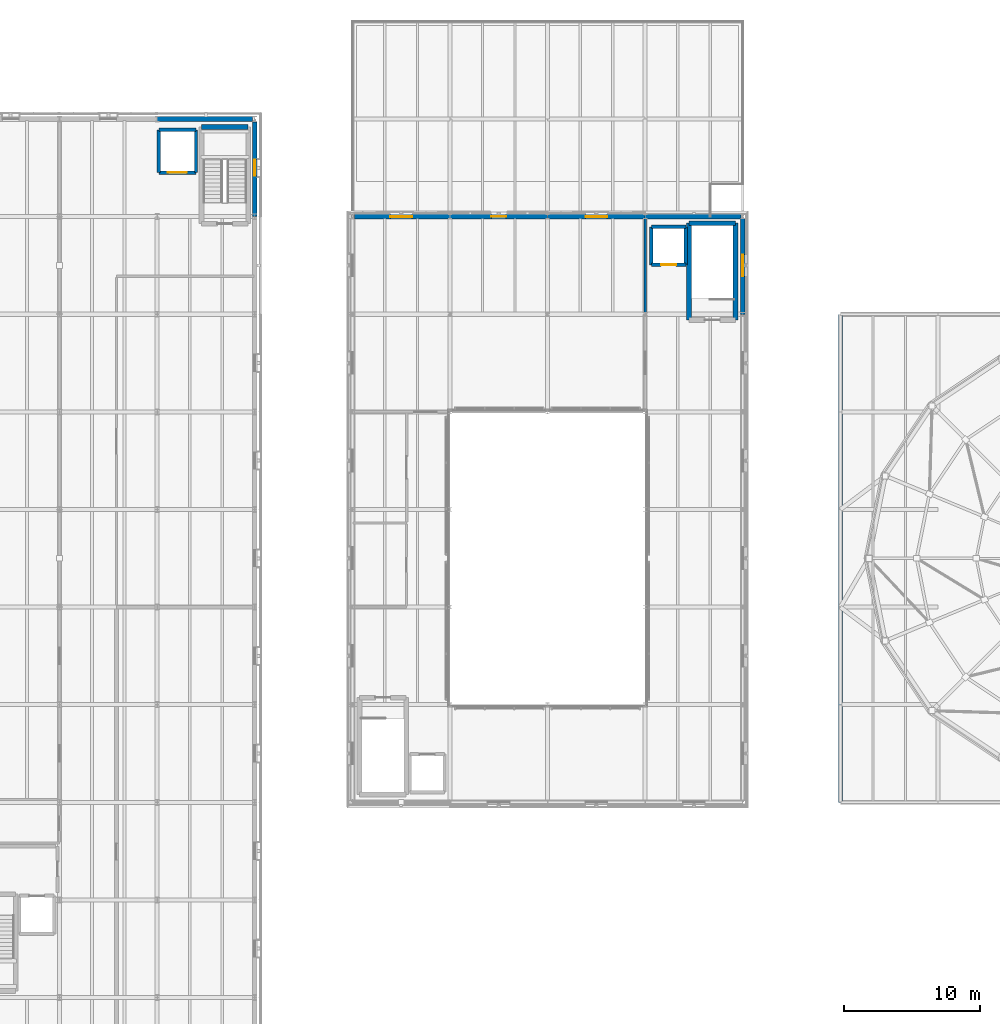
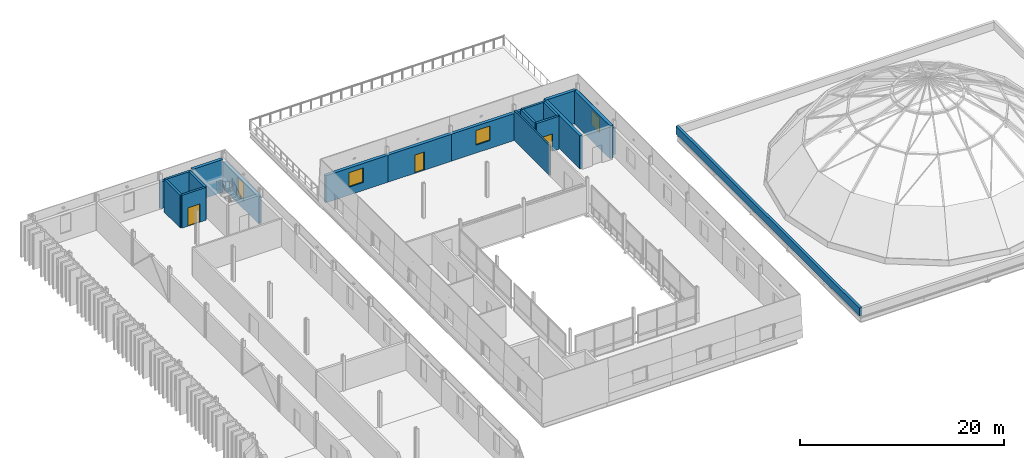
# One storey, part 48 of 66: 21 walls, 4 windows, 3 doors, 7 openings.
"""IFC4 building model written with IfcOpenShell, lengths in metres."""

from ifc_helpers import new_model, si_unit, direction, frame, frame_2d, origin, place, context, subcontext, project, spatial, rectangle, extrude, material, layer, layer_set, type_object, element, fill, save


model = new_model("IFC4")

# Units and contexts
model_context = context("Model", 3, precision=1e-05, world=origin(), true_north=direction((0.0, 1.0)))
body_context = subcontext(model_context, "Body", "Model", "MODEL_VIEW")
ifc_project = project(units=[si_unit("LENGTHUNIT", "METRE"), si_unit("AREAUNIT", "SQUARE_METRE"), si_unit("VOLUMEUNIT", "CUBIC_METRE"), si_unit("PLANEANGLEUNIT", "RADIAN"), si_unit("MASSUNIT", "GRAM", prefix="KILO")], contexts=[model_context])

# Site, building, storey
site_placement = place(None, origin())
site = spatial("IfcSite", under=ifc_project, at=site_placement, CompositionType="ELEMENT")
building_placement = place(site_placement, origin())
building = spatial("IfcBuilding", under=site, at=building_placement, Name="Narikvali Park Central Library", CompositionType="ELEMENT")
storey_placement = place(building_placement, frame((0.0, 0.0, 18.60009765625)))
storey = spatial("IfcBuildingStorey", under=building, at=storey_placement, Name="L04", CompositionType="ELEMENT", Elevation=18.60009765625)

# Walls
ifc_material_1 = material(Name="White Honed Limestone over Concrete C35/45", Category="masonry")
ifc_layer_1 = layer(ifc_material_1, 0.300048828125, Name="White Honed Limestone over Concrete C35/45")
ifc_layer_set_1 = layer_set([ifc_layer_1], Name="White Honed Limestone over Concrete C35/45")
wall_type_1 = type_object("IfcWallType", Name="Limestone Coping Parapet Wall 300", PredefinedType="PARAPET", material=ifc_layer_set_1)
wall_1_placement = place(storey_placement, frame((64.800048828125, 93.60009765625, 0.0), z_axis=(0.0, 0.0, 1.0), x_axis=(0.0, -1.0, 0.0)))
element("IfcWall", 1, at=wall_1_placement, inside=storey, type_object=wall_type_1, Name="V1 L04 Roof Limestone Parapet W", PredefinedType="PARAPET", context=body_context, shape_type="SweptSolid", body=[
    extrude(rectangle(XDim=36.0, YDim=0.300048828125, at=frame_2d((18.0, 0.0))), origin(), (0.0, 0.0, 1.0), 0.949951171875),
])
ifc_material_2 = material(Name="Acoustic Gypsum on Steel Studs", Category="steel")
ifc_layer_2 = layer(ifc_material_2, 0.179931640625, Name="Acoustic Gypsum on Steel Studs")
ifc_layer_set_2 = layer_set([ifc_layer_2], Name="Acoustic Gypsum on Steel Studs")
wall_type_2 = type_object("IfcWallType", Name="Reading Room Acoustic Partition 180", PredefinedType="PARTITIONING", material=ifc_layer_set_2)
wall_2_placement = place(storey_placement, frame((50.39990234375, 93.743896484375, 0.0), z_axis=(0.0, 0.0, 1.0), x_axis=(0.0, 1.0, 0.0)))
element("IfcWall", 2, at=wall_2_placement, inside=storey, type_object=wall_type_2, Name="Sciences and Arts Reading Room L04 Partition E", PredefinedType="PARTITIONING", context=body_context, shape_type="SweptSolid", body=[
    extrude(rectangle(XDim=6.912109375, YDim=0.179931640625, at=frame_2d((3.4560546875, 0.0))), origin(), (0.0, 0.0, 1.0), 3.594970703125),
])
ifc_material_3 = material(Name="Concrete C40/50", Category="concrete")
ifc_layer_3 = layer(ifc_material_3, 0.35009765625, Name="Concrete C40/50")
ifc_layer_set_3 = layer_set([ifc_layer_3], Name="Concrete C40/50")
wall_type_3 = type_object("IfcWallType", Name="Reinforced Concrete Core Shear Wall 350", PredefinedType="SHEAR", material=ifc_layer_set_3)
wall_3_placement = place(storey_placement, frame((57.070068359375, 93.179931640625, 0.0), z_axis=(0.0, 0.0, 1.0), x_axis=(0.0, 1.0, 0.0)))
element("IfcWall", 3, at=wall_3_placement, inside=storey, type_object=wall_type_3, Name="C4B L04 Stair Core Shear Wall E", PredefinedType="SHEAR", context=body_context, shape_type="SweptSolid", body=[
    extrude(rectangle(XDim=7.14013671875, YDim=0.35009765625, at=frame_2d((3.570068359375, 0.0))), origin(), (0.0, 0.0, 1.0), 3.9599609375),
])
wall_4_placement = place(storey_placement, frame((57.070068359375, 100.320068359375, 0.0), z_axis=(0.0, 0.0, 1.0), x_axis=(-1.0, 0.0, 0.0)))
element("IfcWall", 4, at=wall_4_placement, inside=storey, type_object=wall_type_3, Name="C4B L04 Stair Core Shear Wall N", PredefinedType="SHEAR", context=body_context, shape_type="SweptSolid", body=[
    extrude(rectangle(XDim=3.440185546875, YDim=0.35009765625, at=frame_2d((1.72021484375, 0.0))), origin(), (0.0, 0.0, 1.0), 3.9599609375),
])
wall_5_placement = place(storey_placement, frame((53.6298828125, 100.320068359375, 0.0), z_axis=(0.0, 0.0, 1.0), x_axis=(0.0, -1.0, 0.0)))
element("IfcWall", 5, at=wall_5_placement, inside=storey, type_object=wall_type_3, Name="C4B L04 Stair Core Shear Wall W", PredefinedType="SHEAR", context=body_context, shape_type="SweptSolid", body=[
    extrude(rectangle(XDim=7.14013671875, YDim=0.35009765625, at=frame_2d((3.570068359375, 0.0))), origin(), (0.0, 0.0, 1.0), 3.9599609375),
])
wall_6_placement = place(storey_placement, frame((21.1201171875, 107.419921875, 0.0), z_axis=(0.0, 0.0, 1.0), x_axis=(-1.0, 0.0, 0.0)))
element("IfcWall", 6, at=wall_6_placement, inside=storey, type_object=wall_type_3, Name="C5B L04 Stair Core Shear Wall N", PredefinedType="SHEAR", context=body_context, shape_type="SweptSolid", body=[
    extrude(rectangle(XDim=3.440185546875, YDim=0.35009765625, at=frame_2d((1.72021484375, 0.0))), origin(), (0.0, 0.0, 1.0), 3.93994140625),
])

# Wall, opening, door
ifc_layer_4 = layer(ifc_material_3, 0.25, Name="Concrete C40/50")
ifc_layer_set_4 = layer_set([ifc_layer_4], Name="Concrete C40/50")
wall_type_4 = type_object("IfcWallType", Name="Reinforced Concrete Lift Shaft Wall 250", PredefinedType="SHEAR", material=ifc_layer_set_4)
wall_7_placement = place(storey_placement, frame((50.85009765625, 97.25, 0.0), z_axis=(0.0, 0.0, 1.0), x_axis=(1.0, 0.0, 0.0)))
wall_7 = element("IfcWall", 7, at=wall_7_placement, inside=storey, type_object=wall_type_4, Name="L-06 L04 Lift Shaft Wall S", PredefinedType="SHEAR", context=body_context, shape_type="SweptSolid", body=[
    extrude(rectangle(XDim=2.5498046875, YDim=0.25, at=frame_2d((1.27490234375, 0.0))), origin(), (0.0, 0.0, 1.0), 3.9599609375),
])
opening_1_placement = place(wall_7_placement, frame((0.72509765625, 0.0, 0.0)))
opening_1 = element("IfcOpeningElement", 8, at=opening_1_placement, cuts=wall_7, Name="Opening LD-033", PredefinedType="OPENING", context=body_context, shape_type="SweptSolid", body=[
    extrude(rectangle(XDim=1.10009765625, YDim=2.10009765625, at=frame_2d((0.550048828125, 1.050048828125))), frame((0.0, 0.136962890625, 0.0), z_axis=(0.0, -1.0, 0.0), x_axis=(1.0, 0.0, 0.0)), (0.0, 0.0, 1.0), 0.27392578125),
])
ifc_material_4 = material(Name="Brushed Stainless Steel S355", Category="steel")
door_type_1 = type_object("IfcDoorType", Name="Passenger Lift Sliding Landing Door 1100x2100", OperationType="SLIDING_TO_LEFT", PredefinedType="DOOR", material=ifc_material_4)
door_1_placement = place(opening_1_placement, origin())
door_1 = element("IfcDoor", 9, at=door_1_placement, inside=storey, type_object=door_type_1, Name="L-06 L04 Lift Landing Sliding Door LD-033", OperationType="SLIDING_TO_LEFT", OverallHeight=2.10009765625, OverallWidth=1.10009765625, PredefinedType="DOOR", context=body_context, shape_type="SweptSolid", body=[
    extrude(rectangle(XDim=1.10009765625, YDim=2.10009765625, at=frame_2d((0.550048828125, 1.050048828125))), frame((0.0, 0.02490234375, 0.0), z_axis=(0.0, -1.0, 0.0), x_axis=(1.0, 0.0, 0.0)), (0.0, 0.0, 1.0), 0.050048828125),
])
fill(opening_1, door_1)

# Walls
wall_8_placement = place(storey_placement, frame((53.39990234375, 97.25, 0.0), z_axis=(0.0, 0.0, 1.0), x_axis=(0.0, 1.0, 0.0)))
element("IfcWall", 10, at=wall_8_placement, inside=storey, type_object=wall_type_4, Name="L-06 L04 Lift Shaft Wall E", PredefinedType="SHEAR", context=body_context, shape_type="SweptSolid", body=[
    extrude(rectangle(XDim=2.800048828125, YDim=0.25, at=frame_2d((1.39990234375, 0.0))), origin(), (0.0, 0.0, 1.0), 3.9599609375),
])
wall_9_placement = place(storey_placement, frame((53.39990234375, 100.050048828125, 0.0), z_axis=(0.0, 0.0, 1.0), x_axis=(-1.0, 0.0, 0.0)))
element("IfcWall", 11, at=wall_9_placement, inside=storey, type_object=wall_type_4, Name="L-06 L04 Lift Shaft Wall N", PredefinedType="SHEAR", context=body_context, shape_type="SweptSolid", body=[
    extrude(rectangle(XDim=2.5498046875, YDim=0.25, at=frame_2d((1.27490234375, 0.0))), origin(), (0.0, 0.0, 1.0), 3.9599609375),
])
wall_10_placement = place(storey_placement, frame((50.85009765625, 100.050048828125, 0.0), z_axis=(0.0, 0.0, 1.0), x_axis=(0.0, -1.0, 0.0)))
element("IfcWall", 12, at=wall_10_placement, inside=storey, type_object=wall_type_4, Name="L-06 L04 Lift Shaft Wall W", PredefinedType="SHEAR", context=body_context, shape_type="SweptSolid", body=[
    extrude(rectangle(XDim=2.800048828125, YDim=0.25, at=frame_2d((1.39990234375, 0.0))), origin(), (0.0, 0.0, 1.0), 3.9599609375),
])

# Wall, opening, door
wall_11_placement = place(storey_placement, frame((14.52001953125, 104.050048828125, 0.0), z_axis=(0.0, 0.0, 1.0), x_axis=(1.0, 0.0, 0.0)))
wall_11 = element("IfcWall", 13, at=wall_11_placement, inside=storey, type_object=wall_type_4, Name="GL-02 L04 Lift Shaft Wall S", PredefinedType="SHEAR", context=body_context, shape_type="SweptSolid", body=[
    extrude(rectangle(XDim=2.75, YDim=0.25, at=frame_2d((1.375, 0.0))), origin(), (0.0, 0.0, 1.0), 3.93994140625),
])
opening_2_placement = place(wall_11_placement, frame((0.675048828125, 0.0, 0.0)))
opening_2 = element("IfcOpeningElement", 14, at=opening_2_placement, cuts=wall_11, Name="Opening LD-046", PredefinedType="OPENING", context=body_context, shape_type="SweptSolid", body=[
    extrude(rectangle(XDim=1.39990234375, YDim=2.199951171875, at=frame_2d((0.699951171875, 1.10009765625))), frame((0.0, 0.136962890625, 0.0), z_axis=(0.0, -1.0, 0.0), x_axis=(1.0, 0.0, 0.0)), (0.0, 0.0, 1.0), 0.27392578125),
])
door_type_2 = type_object("IfcDoorType", Name="Book Goods Lift Sliding Landing Door 1400x2200", OperationType="DOUBLE_DOOR_SLIDING", PredefinedType="DOOR", material=ifc_material_4)
door_2_placement = place(opening_2_placement, origin())
door_2 = element("IfcDoor", 15, at=door_2_placement, inside=storey, type_object=door_type_2, Name="GL-02 L04 Lift Landing Sliding Door LD-046", OperationType="DOUBLE_DOOR_SLIDING", OverallHeight=2.199951171875, OverallWidth=1.39990234375, PredefinedType="DOOR", context=body_context, shape_type="SweptSolid", body=[
    extrude(rectangle(XDim=1.39990234375, YDim=2.199951171875, at=frame_2d((0.699951171875, 1.10009765625))), frame((0.0, 0.02490234375, 0.0), z_axis=(0.0, -1.0, 0.0), x_axis=(1.0, 0.0, 0.0)), (0.0, 0.0, 1.0), 0.050048828125),
])
fill(opening_2, door_2)

# Walls
wall_12_placement = place(storey_placement, frame((17.27001953125, 104.050048828125, 0.0), z_axis=(0.0, 0.0, 1.0), x_axis=(0.0, 1.0, 0.0)))
element("IfcWall", 16, at=wall_12_placement, inside=storey, type_object=wall_type_4, Name="GL-02 L04 Lift Shaft Wall E", PredefinedType="SHEAR", context=body_context, shape_type="SweptSolid", body=[
    extrude(rectangle(XDim=3.14990234375, YDim=0.25, at=frame_2d((1.574951171875, 0.0))), origin(), (0.0, 0.0, 1.0), 3.93994140625),
])
wall_13_placement = place(storey_placement, frame((17.27001953125, 107.199951171875, 0.0), z_axis=(0.0, 0.0, 1.0), x_axis=(-1.0, 0.0, 0.0)))
element("IfcWall", 17, at=wall_13_placement, inside=storey, type_object=wall_type_4, Name="GL-02 L04 Lift Shaft Wall N", PredefinedType="SHEAR", context=body_context, shape_type="SweptSolid", body=[
    extrude(rectangle(XDim=2.75, YDim=0.25, at=frame_2d((1.375, 0.0))), origin(), (0.0, 0.0, 1.0), 3.93994140625),
])
wall_14_placement = place(storey_placement, frame((14.52001953125, 107.199951171875, 0.0), z_axis=(0.0, 0.0, 1.0), x_axis=(0.0, -1.0, 0.0)))
element("IfcWall", 18, at=wall_14_placement, inside=storey, type_object=wall_type_4, Name="GL-02 L04 Lift Shaft Wall W", PredefinedType="SHEAR", context=body_context, shape_type="SweptSolid", body=[
    extrude(rectangle(XDim=3.14990234375, YDim=0.25, at=frame_2d((1.574951171875, 0.0))), origin(), (0.0, 0.0, 1.0), 3.93994140625),
])

# Wall, opening, window
ifc_layer_5 = layer(ifc_material_1, 0.360107421875, Name="White Honed Limestone over Concrete C35/45")
ifc_layer_set_5 = layer_set([ifc_layer_5], Name="White Honed Limestone over Concrete C35/45")
wall_type_5 = type_object("IfcWallType", Name="White Limestone Attic Clerestory Wall 360", PredefinedType="SOLIDWALL", material=ifc_layer_set_5)
wall_15_placement = place(storey_placement, frame((57.60009765625, 93.60009765625, 0.0), z_axis=(0.0, 0.0, 1.0), x_axis=(0.0, 1.0, 0.0)))
wall_15 = element("IfcWall", 19, at=wall_15_placement, inside=storey, type_object=wall_type_5, Name="V4 L04 E Exterior Limestone Wall B06", PredefinedType="SOLIDWALL", context=body_context, shape_type="SweptSolid", body=[
    extrude(rectangle(XDim=7.055908203125, YDim=0.360107421875, at=frame_2d((3.52783203125, 0.0))), origin(), (0.0, 0.0, 1.0), 3.239990234375),
])
opening_3_placement = place(wall_15_placement, frame((2.800048828125, 0.0, 0.949951171875)))
opening_3 = element("IfcOpeningElement", 20, at=opening_3_placement, cuts=wall_15, Name="Opening WIN-0214", PredefinedType="OPENING", context=body_context, shape_type="SweptSolid", body=[
    extrude(rectangle(XDim=1.60009765625, YDim=1.75, at=frame_2d((0.800048828125, 0.875))), frame((0.0, 0.19189453125, 0.0), z_axis=(0.0, -1.0, 0.0), x_axis=(1.0, 0.0, 0.0)), (0.0, 0.0, 1.0), 0.384033203125),
])
ifc_material_5 = material(Name="Anodised Bronze Aluminium and Low-E Triple Glazing", Category="aluminium")
window_type_1 = type_object("IfcWindowType", Name="Atrium Attic Study Punched Window 1600x1750", PartitioningType="DOUBLE_PANEL_HORIZONTAL", PredefinedType="WINDOW", material=ifc_material_5)
window_1_placement = place(opening_3_placement, origin())
window_1 = element("IfcWindow", 21, at=window_1_placement, inside=storey, type_object=window_type_1, Name="V4 L04 E Deep-Reveal Window WIN-0214", OverallHeight=1.75, OverallWidth=1.60009765625, PartitioningType="SINGLE_PANEL", PredefinedType="WINDOW", context=body_context, shape_type="SweptSolid", body=[
    extrude(rectangle(XDim=1.60009765625, YDim=1.75, at=frame_2d((0.800048828125, 0.875))), frame((0.0, 0.030029296875, 0.0), z_axis=(0.0, -1.0, 0.0), x_axis=(1.0, 0.0, 0.0)), (0.0, 0.0, 1.0), 0.06005859375),
])
fill(opening_3, window_1)

# Wall
wall_16_placement = place(storey_placement, frame((57.4560546875, 100.800048828125, 0.0), z_axis=(0.0, 0.0, 1.0), x_axis=(-1.0, 0.0, 0.0)))
element("IfcWall", 22, at=wall_16_placement, inside=storey, type_object=wall_type_5, Name="V4 L04 N Exterior Limestone Wall B01", PredefinedType="SOLIDWALL", context=body_context, shape_type="SweptSolid", body=[
    extrude(rectangle(XDim=7.05615234375, YDim=0.360107421875, at=frame_2d((3.528076171875, 0.0))), origin(), (0.0, 0.0, 1.0), 3.239990234375),
])

# Wall, opening, window
wall_17_placement = place(storey_placement, frame((50.39990234375, 100.800048828125, 0.0), z_axis=(0.0, 0.0, 1.0), x_axis=(-1.0, 0.0, 0.0)))
wall_17 = element("IfcWall", 23, at=wall_17_placement, inside=storey, type_object=wall_type_5, Name="V4 L04 N Exterior Limestone Wall B02", PredefinedType="SOLIDWALL", context=body_context, shape_type="SweptSolid", body=[
    extrude(rectangle(XDim=7.199951171875, YDim=0.360107421875, at=frame_2d((3.60009765625, 0.0))), origin(), (0.0, 0.0, 1.0), 3.239990234375),
])
opening_4_placement = place(wall_17_placement, frame((2.800048828125, 0.0, 0.949951171875)))
opening_4 = element("IfcOpeningElement", 24, at=opening_4_placement, cuts=wall_17, Name="Opening WIN-0215", PredefinedType="OPENING", context=body_context, shape_type="SweptSolid", body=[
    extrude(rectangle(XDim=1.60009765625, YDim=1.75, at=frame_2d((0.800048828125, 0.875))), frame((0.0, 0.19189453125, 0.0), z_axis=(0.0, -1.0, 0.0), x_axis=(1.0, 0.0, 0.0)), (0.0, 0.0, 1.0), 0.384033203125),
])
window_2_placement = place(opening_4_placement, origin())
window_2 = element("IfcWindow", 25, at=window_2_placement, inside=storey, type_object=window_type_1, Name="V4 L04 N Deep-Reveal Window WIN-0215", OverallHeight=1.75, OverallWidth=1.60009765625, PartitioningType="SINGLE_PANEL", PredefinedType="WINDOW", context=body_context, shape_type="SweptSolid", body=[
    extrude(rectangle(XDim=1.60009765625, YDim=1.75, at=frame_2d((0.800048828125, 0.875))), frame((0.0, 0.030029296875, 0.0), z_axis=(0.0, -1.0, 0.0), x_axis=(1.0, 0.0, 0.0)), (0.0, 0.0, 1.0), 0.06005859375),
])
fill(opening_4, window_2)

# Wall, opening, door
wall_18_placement = place(storey_placement, frame((43.199951171875, 100.800048828125, 0.0), z_axis=(0.0, 0.0, 1.0), x_axis=(-1.0, 0.0, 0.0)))
wall_18 = element("IfcWall", 26, at=wall_18_placement, inside=storey, type_object=wall_type_5, Name="V4 L04 N Exterior Limestone Wall B03", PredefinedType="SOLIDWALL", context=body_context, shape_type="SweptSolid", body=[
    extrude(rectangle(XDim=7.199951171875, YDim=0.360107421875, at=frame_2d((3.60009765625, 0.0))), origin(), (0.0, 0.0, 1.0), 3.239990234375),
])
opening_5_placement = place(wall_18_placement, frame((3.050048828125, 0.0, 0.0)))
opening_5 = element("IfcOpeningElement", 27, at=opening_5_placement, cuts=wall_18, Name="Opening ED-037", PredefinedType="OPENING", context=body_context, shape_type="SweptSolid", body=[
    extrude(rectangle(XDim=1.10009765625, YDim=2.199951171875, at=frame_2d((0.550048828125, 1.10009765625))), frame((0.0, 0.19189453125, 0.0), z_axis=(0.0, -1.0, 0.0), x_axis=(1.0, 0.0, 0.0)), (0.0, 0.0, 1.0), 0.384033203125),
])
ifc_material_6 = material(Name="Anodised Architectural Bronze and Tempered Glass", Category="glass")
door_type_3 = type_object("IfcDoorType", Name="Roof Garden Terrace Glazed Door 1100x2200", OperationType="SINGLE_SWING_LEFT", PredefinedType="DOOR", material=ifc_material_6)
door_3_placement = place(opening_5_placement, frame((1.10009765625, 0.0, 0.0), z_axis=(0.0, 0.0, 1.0), x_axis=(-1.0, 0.0, 0.0)))
door_3 = element("IfcDoor", 28, at=door_3_placement, inside=storey, type_object=door_type_3, Name="V4 L04 Planted Roof Garden Access Door ED-037", OperationType="SINGLE_SWING_LEFT", OverallHeight=2.199951171875, OverallWidth=1.10009765625, PredefinedType="DOOR", context=body_context, shape_type="SweptSolid", body=[
    extrude(rectangle(XDim=1.10009765625, YDim=2.199951171875, at=frame_2d((0.550048828125, 1.10009765625))), frame((0.0, 0.02490234375, 0.0), z_axis=(0.0, -1.0, 0.0), x_axis=(1.0, 0.0, 0.0)), (0.0, 0.0, 1.0), 0.050048828125),
])
fill(opening_5, door_3)

# Wall, opening, window
wall_19_placement = place(storey_placement, frame((36.0, 100.800048828125, 0.0), z_axis=(0.0, 0.0, 1.0), x_axis=(-1.0, 0.0, 0.0)))
wall_19 = element("IfcWall", 29, at=wall_19_placement, inside=storey, type_object=wall_type_5, Name="V4 L04 N Exterior Limestone Wall B04", PredefinedType="SOLIDWALL", context=body_context, shape_type="SweptSolid", body=[
    extrude(rectangle(XDim=7.055908203125, YDim=0.360107421875, at=frame_2d((3.52783203125, 0.0))), origin(), (0.0, 0.0, 1.0), 3.239990234375),
])
opening_6_placement = place(wall_19_placement, frame((2.800048828125, 0.0, 0.949951171875)))
opening_6 = element("IfcOpeningElement", 30, at=opening_6_placement, cuts=wall_19, Name="Opening WIN-0216", PredefinedType="OPENING", context=body_context, shape_type="SweptSolid", body=[
    extrude(rectangle(XDim=1.60009765625, YDim=1.75, at=frame_2d((0.800048828125, 0.875))), frame((0.0, 0.19189453125, 0.0), z_axis=(0.0, -1.0, 0.0), x_axis=(1.0, 0.0, 0.0)), (0.0, 0.0, 1.0), 0.384033203125),
])
window_3_placement = place(opening_6_placement, origin())
window_3 = element("IfcWindow", 31, at=window_3_placement, inside=storey, type_object=window_type_1, Name="V4 L04 N Deep-Reveal Window WIN-0216", OverallHeight=1.75, OverallWidth=1.60009765625, PartitioningType="SINGLE_PANEL", PredefinedType="WINDOW", context=body_context, shape_type="SweptSolid", body=[
    extrude(rectangle(XDim=1.60009765625, YDim=1.75, at=frame_2d((0.800048828125, 0.875))), frame((0.0, 0.030029296875, 0.0), z_axis=(0.0, -1.0, 0.0), x_axis=(1.0, 0.0, 0.0)), (0.0, 0.0, 1.0), 0.06005859375),
])
fill(opening_6, window_3)

wall_20_placement = place(storey_placement, frame((21.60009765625, 100.800048828125, 0.0), z_axis=(0.0, 0.0, 1.0), x_axis=(0.0, 1.0, 0.0)))
wall_20 = element("IfcWall", 32, at=wall_20_placement, inside=storey, type_object=wall_type_5, Name="V5 L04 E Exterior Limestone Wall B10", PredefinedType="SOLIDWALL", context=body_context, shape_type="SweptSolid", body=[
    extrude(rectangle(XDim=6.995849609375, YDim=0.360107421875, at=frame_2d((3.498046875, 0.0))), origin(), (0.0, 0.0, 1.0), 3.219970703125),
])
opening_7_placement = place(wall_20_placement, frame((3.0, 0.0, 0.949951171875)))
opening_7 = element("IfcOpeningElement", 33, at=opening_7_placement, cuts=wall_20, Name="Opening WIN-0316", PredefinedType="OPENING", context=body_context, shape_type="SweptSolid", body=[
    extrude(rectangle(XDim=1.199951171875, YDim=2.14990234375, at=frame_2d((0.60009765625, 1.074951171875))), frame((0.0, 0.19189453125, 0.0), z_axis=(0.0, -1.0, 0.0), x_axis=(1.0, 0.0, 0.0)), (0.0, 0.0, 1.0), 0.384033203125),
])
window_type_2 = type_object("IfcWindowType", Name="Stacks Archive Deep-Reveal Punched Window 1200x2150", PartitioningType="SINGLE_PANEL", PredefinedType="WINDOW", material=ifc_material_5)
window_4_placement = place(opening_7_placement, origin())
window_4 = element("IfcWindow", 34, at=window_4_placement, inside=storey, type_object=window_type_2, Name="V5 L04 E Deep-Reveal Window WIN-0316", OverallHeight=2.14990234375, OverallWidth=1.199951171875, PartitioningType="SINGLE_PANEL", PredefinedType="WINDOW", context=body_context, shape_type="SweptSolid", body=[
    extrude(rectangle(XDim=1.199951171875, YDim=2.14990234375, at=frame_2d((0.60009765625, 1.074951171875))), frame((0.0, 0.030029296875, 0.0), z_axis=(0.0, -1.0, 0.0), x_axis=(1.0, 0.0, 0.0)), (0.0, 0.0, 1.0), 0.06005859375),
])
fill(opening_7, window_4)

# Wall
wall_21_placement = place(storey_placement, frame((21.446044921875, 108.0, 0.0), z_axis=(0.0, 0.0, 1.0), x_axis=(-1.0, 0.0, 0.0)))
element("IfcWall", 35, at=wall_21_placement, inside=storey, type_object=wall_type_5, Name="V5 L04 N Exterior Limestone Wall B01", PredefinedType="SOLIDWALL", context=body_context, shape_type="SweptSolid", body=[
    extrude(rectangle(XDim=7.046142578125, YDim=0.360107421875, at=frame_2d((3.52294921875, 0.0))), origin(), (0.0, 0.0, 1.0), 3.219970703125),
])

save(model, "model.ifc")
